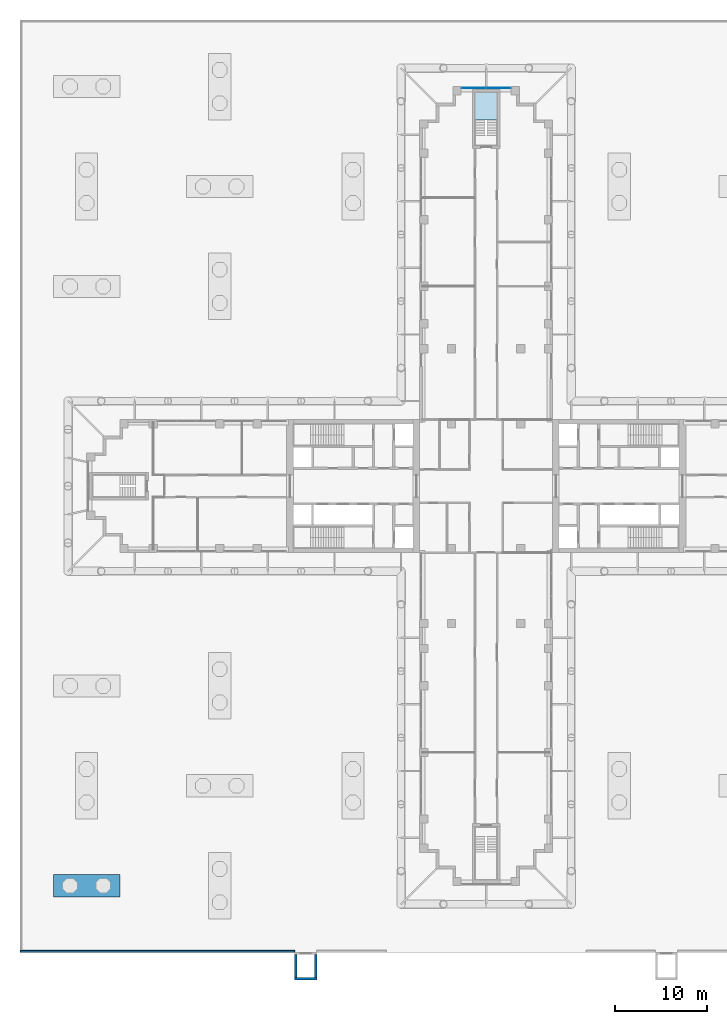
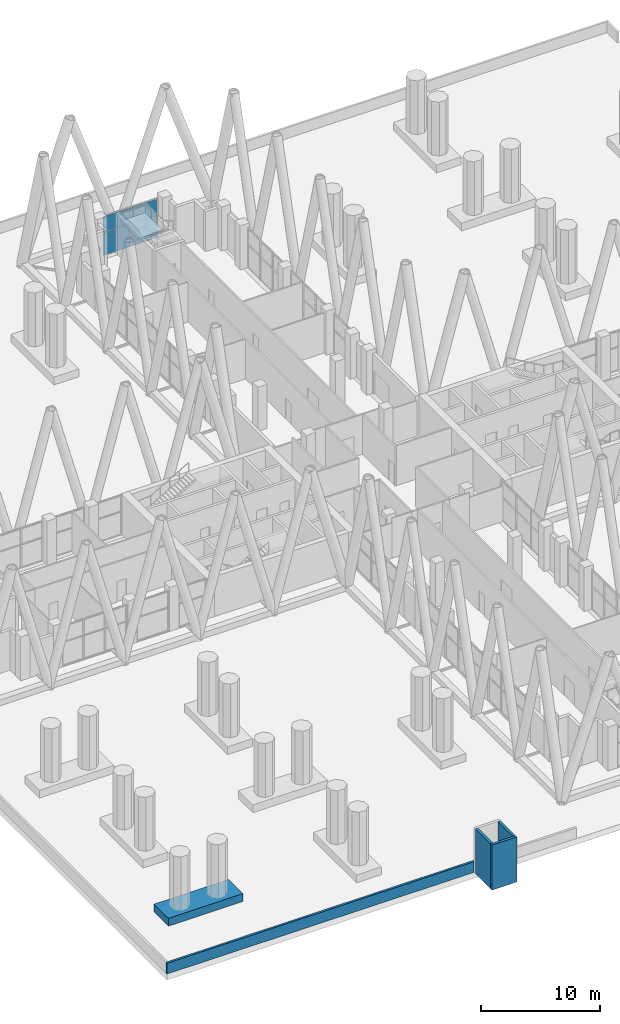
# One storey, part 17 of 31: 5 walls, 4 plates, 1 slab, 2 elements without a shape of their own.
"""IFC4 building model written with IfcOpenShell, lengths in metres."""

import ifcopenshell
import ifcopenshell.guid

model = None  # the IFC model being written
_history = None  # IfcOwnerHistory: only IFC2X3 demands one
_inside = {}  # id of a spatial element -> (the spatial element, [elements in it])
_under = {}  # id of a project, library or spatial element -> (it, [spatial elements below it])
_declared = {}  # id of a project -> (the project, [libraries it declares])
_typed = {}  # id of a type object -> (the type object, [elements of that type])
_made_of = {}  # id of a material, layer set ... -> (it, [elements and type objects made of it])


def new_model(schema):
    """Start an empty IFC model of exactly this schema.

    Asked for "IFC4X3", IfcOpenShell would pick the latest addendum, in which some entities
    have other attributes; the version numbers below select the first issue.
    IFC2X3 requires an IfcOwnerHistory on every rooted entity: one is made here for all.
    """
    global model, _history
    if schema == "IFC4X3":
        model = ifcopenshell.file(schema_version=(4, 3, 0, 0))
    else:
        model = ifcopenshell.file(schema=schema)
    _inside.clear()
    _under.clear()
    _declared.clear()
    _typed.clear()
    _made_of.clear()
    _history = None
    if model.schema == "IFC2X3":
        org = make("IfcOrganization", Name="unknown")
        user = make(
            "IfcPersonAndOrganization",
            ThePerson=make("IfcPerson", FamilyName="unknown"),
            TheOrganization=org,
        )
        app = make(
            "IfcApplication",
            ApplicationDeveloper=org,
            Version="unknown",
            ApplicationFullName="unknown",
            ApplicationIdentifier="unknown",
        )
        _history = make(
            "IfcOwnerHistory",
            OwningUser=user,
            OwningApplication=app,
            ChangeAction="ADDED",
            CreationDate=0,
        )
    return model


def make(cls, **values):
    """One entity of the class cls with the attributes given. An attribute that is None is left unset."""
    return model.create_entity(
        cls, **{name: value for name, value in values.items() if value is not None}
    )


def rooted(cls, **values):
    """An entity with a GlobalId (a new one), such as an element, a storey or a relation."""
    return make(cls, GlobalId=ifcopenshell.guid.new(), OwnerHistory=_history, **values)


def si_unit(unit_type, name, prefix=None):
    """IfcSIUnit, for example si_unit("LENGTHUNIT", "METRE", prefix="MILLI")."""
    return make("IfcSIUnit", UnitType=unit_type, Prefix=prefix, Name=name)


def assignment(units):
    """IfcUnitAssignment: the units of a project."""
    return None if units is None else make("IfcUnitAssignment", Units=units)


def point(xyz):
    """IfcCartesianPoint."""
    return None if xyz is None else make("IfcCartesianPoint", Coordinates=xyz)


def direction(xyz):
    """IfcDirection."""
    return None if xyz is None else make("IfcDirection", DirectionRatios=xyz)


def frame(location, z_axis=None, x_axis=None):
    """IfcAxis2Placement3D, a coordinate frame: its origin and axes. An axis left out is left unset."""
    return make(
        "IfcAxis2Placement3D",
        Location=point(location),
        Axis=direction(z_axis),
        RefDirection=direction(x_axis),
    )


def frame_2d(location, x_axis=None):
    """IfcAxis2Placement2D, a coordinate frame in the plane: its origin and x axis."""
    return make(
        "IfcAxis2Placement2D", Location=point(location), RefDirection=direction(x_axis)
    )


def origin():
    """The frame at (0, 0, 0) with its axes left unset."""
    return frame((0.0, 0.0, 0.0))


def origin_2d():
    """The frame at (0, 0) in the plane with its x axis left unset."""
    return frame_2d((0.0, 0.0))


def place(relative_to, where):
    """IfcLocalPlacement: puts the frame where relative to a parent placement (None: the world)."""
    return make(
        "IfcLocalPlacement", PlacementRelTo=relative_to, RelativePlacement=where
    )


def context(
    kind, dimensions, precision=None, world=None, true_north=None, identifier=None
):
    """IfcGeometricRepresentationContext, for example the 3D "Model" context."""
    return make(
        "IfcGeometricRepresentationContext",
        ContextIdentifier=identifier,
        ContextType=kind,
        CoordinateSpaceDimension=dimensions,
        Precision=precision,
        WorldCoordinateSystem=world,
        TrueNorth=true_north,
    )


def subcontext(parent, identifier, kind, view, scale=None):
    """IfcGeometricRepresentationSubContext, for example "Body" below "Model"."""
    return make(
        "IfcGeometricRepresentationSubContext",
        ContextIdentifier=identifier,
        ContextType=kind,
        ParentContext=parent,
        TargetScale=scale,
        TargetView=view,
    )


def project(units=None, contexts=None):
    """IfcProject with its units and contexts."""
    return rooted(
        "IfcProject",
        Name="project",
        RepresentationContexts=contexts,
        UnitsInContext=assignment(units),
    )


def spatial(cls, under=None, at=None, **own):
    """A site, building, storey or space (cls), placed at a placement, below another one or the project."""
    s = rooted(cls, ObjectPlacement=at, **own)
    if under is not None:
        _under.setdefault(under.id(), (under, []))[1].append(s)
    return s


def polyline(points):
    """IfcPolyline through the points."""
    return make("IfcPolyline", Points=[point(p) for p in points])


def profile(cls, at=None, kind="AREA", **sizes):
    """A parametric profile (cls). Its sizes go by their IFC names, for example OverallWidth=200.0."""
    return make(cls, ProfileType=kind, Position=at, **sizes)


def rectangle(**sizes):
    """IfcRectangleProfileDef."""
    return profile("IfcRectangleProfileDef", **sizes)


def outline(outer, holes=None, kind="AREA"):
    """IfcArbitraryClosedProfileDef: a profile drawn as a closed curve; with holes, ...WithVoids."""
    if holes is None:
        return make("IfcArbitraryClosedProfileDef", ProfileType=kind, OuterCurve=outer)
    return make(
        "IfcArbitraryProfileDefWithVoids",
        ProfileType=kind,
        OuterCurve=outer,
        InnerCurves=holes,
    )


def extrude(swept, where, along, depth):
    """IfcExtrudedAreaSolid: the profile swept, set in the frame where, extruded along a direction by depth."""
    return make(
        "IfcExtrudedAreaSolid",
        SweptArea=swept,
        Position=where,
        ExtrudedDirection=direction(along),
        Depth=depth,
    )


def shape(context_of_items, identifier, shape_type, items):
    """IfcShapeRepresentation: the items that make up one representation, for example the "Body"."""
    return make(
        "IfcShapeRepresentation",
        ContextOfItems=context_of_items,
        RepresentationIdentifier=identifier,
        RepresentationType=shape_type,
        Items=items,
    )


def material(Name=None, Category=None):
    """IfcMaterial."""
    return make("IfcMaterial", Name=Name, Category=Category)


def layer(
    of_material, thickness, ventilated=None, Name=None, Category=None, Priority=None
):
    """IfcMaterialLayer: one layer of a wall or slab, of a material (None: an air gap)."""
    return make(
        "IfcMaterialLayer",
        Material=of_material,
        LayerThickness=thickness,
        IsVentilated=ventilated,
        Name=Name,
        Category=Category,
        Priority=Priority,
    )


def layer_set(layers, Name=None):
    """IfcMaterialLayerSet."""
    return make("IfcMaterialLayerSet", MaterialLayers=layers, LayerSetName=Name)


def made_of(thing, what):
    """Note that an element or type object is made of a material, layer set ...; save() writes the relation."""
    if what is not None:
        _made_of.setdefault(what.id(), (what, []))[1].append(thing)
    return thing


def type_object(cls, material=None, **own):
    """A type object (cls), such as IfcWallType, which elements share."""
    return made_of(rooted(cls, **own), material)


def element(
    cls,
    number,
    at=None,
    inside=None,
    cuts=None,
    type_object=None,
    material=None,
    context=None,
    identifier="Body",
    shape_type=None,
    held_by="IfcProductDefinitionShape",
    body=None,
    shapes=None,
    **own,
):
    """One element of the class cls, such as IfcWall. Its Tag is "e" and its number.

    at: its placement. inside: the storey or other place that contains it. cuts: it is an
    opening in that element (IfcRelVoidsElement). A single representation is given by context,
    identifier, shape_type and body (its items); several are given by shapes. held_by: the class
    of the entity that holds the representations. save() writes the other relations.
    """
    e = rooted(cls, Tag="e%d" % number, ObjectPlacement=at, **own)
    if body is not None:
        shapes = [shape(context, identifier, shape_type, body)]
    if shapes is not None:
        e.Representation = make(held_by, Representations=shapes)
    if inside is not None:
        _inside.setdefault(inside.id(), (inside, []))[1].append(e)
    if cuts is not None:
        rooted(
            "IfcRelVoidsElement", RelatingBuildingElement=cuts, RelatedOpeningElement=e
        )
    if type_object is not None:
        _typed.setdefault(type_object.id(), (type_object, []))[1].append(e)
    return made_of(e, material)


def aggregate(whole, parts):
    """IfcRelAggregates: a whole, such as a stair, and the parts it consists of."""
    return rooted("IfcRelAggregates", RelatingObject=whole, RelatedObjects=parts)


def save(model, path):
    """Write the relations noted so far, then the file.

    IfcRelAggregates (storeys below a building ...), IfcRelContainedInSpatialStructure (elements
    in a storey), IfcRelDefinesByType, IfcRelAssociatesMaterial and IfcRelDeclares: one each for
    every whole, place, type object, material and project.
    """
    for whole, parts in _under.values():
        aggregate(whole, parts)
    for where, things in _inside.values():
        rooted(
            "IfcRelContainedInSpatialStructure",
            RelatedElements=things,
            RelatingStructure=where,
        )
    for kind, things in _typed.values():
        rooted("IfcRelDefinesByType", RelatedObjects=things, RelatingType=kind)
    for what, things in _made_of.values():
        rooted("IfcRelAssociatesMaterial", RelatedObjects=things, RelatingMaterial=what)
    for by, libraries in _declared.values():
        rooted("IfcRelDeclares", RelatingContext=by, RelatedDefinitions=libraries)
    model.write(path)


model = new_model("IFC4")

# Units and contexts
model_context = context("Model", 3, precision=1e-05, world=origin(), true_north=direction((0.0, 1.0)))
body_context = subcontext(model_context, "Body", "Model", "MODEL_VIEW")
ifc_project = project(units=[si_unit("LENGTHUNIT", "METRE"), si_unit("AREAUNIT", "SQUARE_METRE"), si_unit("VOLUMEUNIT", "CUBIC_METRE"), si_unit("PLANEANGLEUNIT", "RADIAN"), si_unit("MASSUNIT", "GRAM", prefix="KILO")], contexts=[model_context])

# Site, building, storey
site_placement = place(None, origin())
site = spatial("IfcSite", under=ifc_project, at=site_placement, CompositionType="ELEMENT")
building_placement = place(site_placement, origin())
building = spatial("IfcBuilding", under=site, at=building_placement, Name="Fustian Cross Tower", CompositionType="ELEMENT")
storey_placement = place(building_placement, frame((0.0, 0.0, 7.199951171875)))
storey = spatial("IfcBuildingStorey", under=building, at=storey_placement, Name="L01", CompositionType="ELEMENT", Elevation=7.199951171875)

# Curtain wall, plates
ifc_material_1 = material(Name="Glass", Category="glass")
curtain_wall_type = type_object("IfcCurtainWallType", Name="CW4 CURTAIN WALL", PredefinedType="NOTDEFINED", material=ifc_material_1)
curtain_wall_placement = place(storey_placement, origin())
curtain_wall = element("IfcCurtainWall", 1, at=curtain_wall_placement, inside=storey, type_object=curtain_wall_type, Name="Curtain wall CW4", PredefinedType="NOTDEFINED")
ifc_material_2 = material(Name="Glass", Category="glass")
ifc_layer_1 = layer(ifc_material_2, 0.028076171875)
ifc_layer_set_1 = layer_set([ifc_layer_1], Name="Glass")
plate_type = type_object("IfcPlateType", Name="CW4 PANEL IGU28", PredefinedType="CURTAIN_PANEL", material=ifc_layer_set_1)
plate_1_placement = place(storey_placement, frame((1.3349609375, 43.050048828125, 0.06005859375), z_axis=(0.0, 0.0, 1.0), x_axis=(-1.0, 0.0, 0.0)))
plate_1 = element("IfcPlate", 2, at=plate_1_placement, type_object=plate_type, Name="CW4 panel 1.1", PredefinedType="CURTAIN_PANEL", context=body_context, shape_type="SweptSolid", body=[
    extrude(rectangle(XDim=2.610107421875, YDim=0.028076171875, at=origin_2d()), origin(), (0.0, 0.0, 1.0), 2.31005859375),
])
plate_2_placement = place(storey_placement, frame((1.3349609375, 43.050048828125, 2.43017578125), z_axis=(0.0, 0.0, 1.0), x_axis=(-1.0, 0.0, 0.0)))
plate_2 = element("IfcPlate", 3, at=plate_2_placement, type_object=plate_type, Name="CW4 panel 1.2", PredefinedType="CURTAIN_PANEL", context=body_context, shape_type="SweptSolid", body=[
    extrude(rectangle(XDim=2.610107421875, YDim=0.028076171875, at=origin_2d()), origin(), (0.0, 0.0, 1.0), 1.5849609375),
])
plate_3_placement = place(storey_placement, frame((-1.3349609375, 43.050048828125, 0.06005859375), z_axis=(0.0, 0.0, 1.0), x_axis=(-1.0, 0.0, 0.0)))
plate_3 = element("IfcPlate", 4, at=plate_3_placement, type_object=plate_type, Name="CW4 panel 2.1", PredefinedType="CURTAIN_PANEL", context=body_context, shape_type="SweptSolid", body=[
    extrude(rectangle(XDim=2.610107421875, YDim=0.028076171875, at=origin_2d()), origin(), (0.0, 0.0, 1.0), 2.31005859375),
])
plate_4_placement = place(storey_placement, frame((-1.3349609375, 43.050048828125, 2.43017578125), z_axis=(0.0, 0.0, 1.0), x_axis=(-1.0, 0.0, 0.0)))
plate_4 = element("IfcPlate", 5, at=plate_4_placement, type_object=plate_type, Name="CW4 panel 2.2", PredefinedType="CURTAIN_PANEL", context=body_context, shape_type="SweptSolid", body=[
    extrude(rectangle(XDim=2.610107421875, YDim=0.028076171875, at=origin_2d()), origin(), (0.0, 0.0, 1.0), 1.5849609375),
])
aggregate(curtain_wall, [plate_1, plate_2, plate_3, plate_4])

# Stair, slab
ifc_material_3 = material(Name="Concrete C50/60", Category="concrete")
stair_type = type_object("IfcStairType", Name="STAIR 1100 HALF TURN", PredefinedType="HALF_TURN_STAIR", material=ifc_material_3)
stair_placement = place(storey_placement, origin())
stair = element("IfcStair", 6, at=stair_placement, inside=storey, type_object=stair_type, Name="Stair ST5", PredefinedType="HALF_TURN_STAIR")
ifc_material_4 = material(Name="Concrete C50/60", Category="concrete")
ifc_layer_2 = layer(ifc_material_4, 0.199951171875)
ifc_layer_set_2 = layer_set([ifc_layer_2], Name="Concrete C50/60")
slab_type = type_object("IfcSlabType", Name="STAIR LANDING", PredefinedType="LANDING", material=ifc_layer_set_2)
slab_placement = place(storey_placement, frame((0.0, 0.0, 3.175048828125)))
slab = element("IfcSlab", 7, at=slab_placement, type_object=slab_type, Name="ST5 landing 3", PredefinedType="LANDING", context=body_context, shape_type="SweptSolid", body=[
    extrude(outline(polyline([(-1.199951171875, 39.580078125), (-1.199951171875, 42.60009765625), (1.199951171875, 42.60009765625), (1.199951171875, 39.580078125), (-1.199951171875, 39.580078125)])), origin(), (0.0, 0.0, 1.0), 0.199951171875),
])
aggregate(stair, [slab])

# Walls
ifc_material_5 = material(Name="Concrete C40/50", Category="concrete")
ifc_layer_3 = layer(ifc_material_5, 0.25)
ifc_layer_set_3 = layer_set([ifc_layer_3], Name="Concrete C40/50")
wall_type_1 = type_object("IfcWallType", Name="LIFT SHAFT WALL 250", PredefinedType="SOLIDWALL", material=ifc_layer_set_3)
wall_1_placement = place(storey_placement, frame((-20.699951171875, -53.27490234375, 0.0), z_axis=(0.0, 0.0, 1.0), x_axis=(1.0, 0.0, 0.0)))
element("IfcWall", 8, at=wall_1_placement, inside=storey, type_object=wall_type_1, Name="Lift shaft wall PL1 L01 S", PredefinedType="SOLIDWALL", context=body_context, shape_type="SweptSolid", body=[
    extrude(rectangle(XDim=2.39990234375, YDim=0.25, at=frame_2d((1.199951171875, 0.0))), origin(), (0.0, 0.0, 1.0), 4.60009765625),
])
for number, where, z_axis, x_axis, name in (
    (9, (-20.574951171875, -53.14990234375, 0.0), (0.0, 0.0, 1.0), (0.0, 1.0, 0.0), "Lift shaft wall PL1 L01 W"),
    (10, (-18.425048828125, -53.14990234375, 0.0), (0.0, 0.0, 1.0), (0.0, 1.0, 0.0), "Lift shaft wall PL1 L01 E"),
):
    element("IfcWall", number, at=place(storey_placement, frame(where, z_axis=z_axis, x_axis=x_axis)), inside=storey, type_object=wall_type_1, Name=name, PredefinedType="SOLIDWALL", context=body_context, shape_type="SweptSolid", body=[
        extrude(rectangle(XDim=2.5, YDim=0.25, at=frame_2d((1.25, 0.0))), origin(), (0.0, 0.0, 1.0), 4.60009765625),
    ])
ifc_material_6 = material(Name="Dark rainscreen cladding on blockwork", Category="masonry")
ifc_layer_4 = layer(ifc_material_6, 0.199951171875)
ifc_layer_set_4 = layer_set([ifc_layer_4], Name="Dark rainscreen cladding on blockwork")
wall_type_2 = type_object("IfcWallType", Name="PARAPET 200", PredefinedType="PARAPET", material=ifc_layer_set_4)
wall_2_placement = place(storey_placement, frame((-50.39990234375, -50.300048828125, 0.0), z_axis=(0.0, 0.0, 1.0), x_axis=(1.0, 0.0, 0.0)))
element("IfcWall", 11, at=wall_2_placement, inside=storey, type_object=wall_type_2, Name="Deck parapet S", PredefinedType="PARAPET", context=body_context, shape_type="SweptSolid", body=[
    extrude(rectangle(XDim=29.699951171875, YDim=0.199951171875, at=frame_2d((14.85009765625, 0.0))), origin(), (0.0, 0.0, 1.0), 1.10009765625),
])
ifc_material_7 = material(Name="Concrete C40/50", Category="concrete")
ifc_layer_5 = layer(ifc_material_7, 2.39990234375)
ifc_layer_set_5 = layer_set([ifc_layer_5], Name="Concrete C40/50")
wall_type_3 = type_object("IfcWallType", Name="PLANTER KERB", PredefinedType="SOLIDWALL", material=ifc_layer_set_5)
wall_3_placement = place(storey_placement, frame((-46.800048828125, -43.199951171875, 0.0), z_axis=(0.0, 0.0, 1.0), x_axis=(1.0, 0.0, 0.0)))
element("IfcWall", 12, at=wall_3_placement, inside=storey, type_object=wall_type_3, Name="PLANTER D1", PredefinedType="SOLIDWALL", context=body_context, shape_type="SweptSolid", body=[
    extrude(rectangle(XDim=7.199951171875, YDim=2.39990234375, at=frame_2d((3.60009765625, 0.0))), origin(), (0.0, 0.0, 1.0), 0.800048828125),
])

save(model, "model.ifc")
